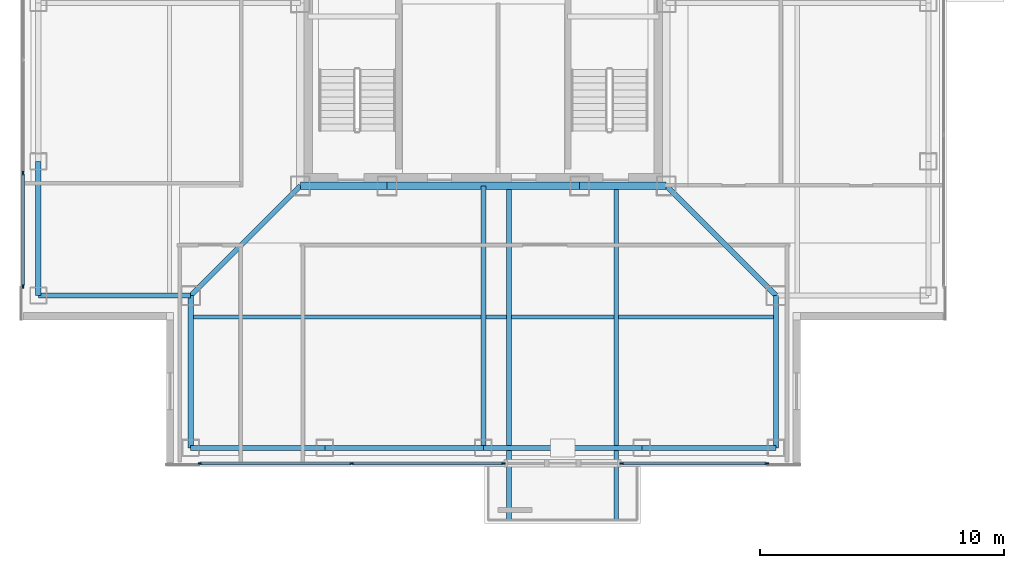
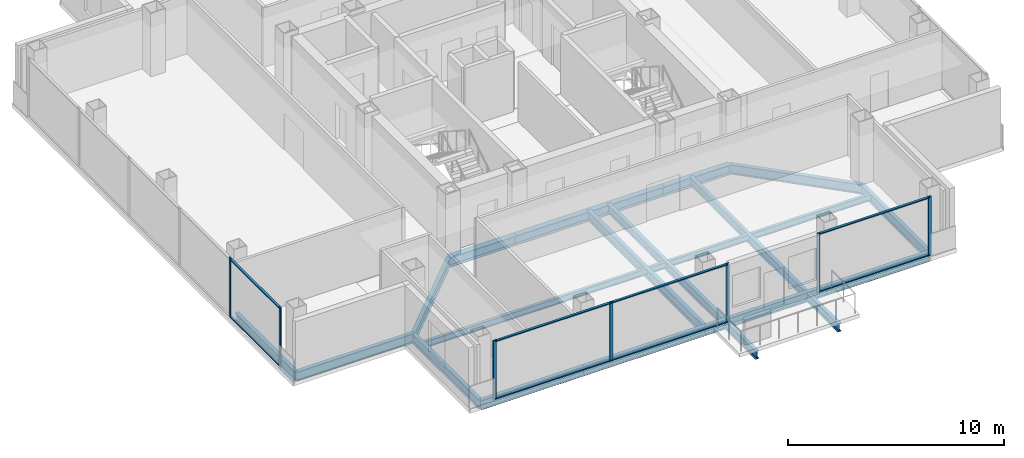
# One storey, part 2 of 15: 17 beams, 15 members, 3 elements without a shape of their own.
"""IFC4 building model written with IfcOpenShell, lengths in metres."""

from ifc_helpers import new_model, si_unit, direction, frame, origin, origin_2d, place, context, subcontext, project, spatial, rectangle, i_section, extrude, material, layer, layer_set, material_profile, profile_set, type_object, element, aggregate, save


model = new_model("IFC4")

# Units and contexts
model_context = context("Model", 3, precision=1e-05, world=origin(), true_north=direction((0.0, 1.0)))
body_context = subcontext(model_context, "Body", "Model", "MODEL_VIEW")
ifc_project = project(units=[si_unit("LENGTHUNIT", "METRE"), si_unit("AREAUNIT", "SQUARE_METRE"), si_unit("VOLUMEUNIT", "CUBIC_METRE"), si_unit("PLANEANGLEUNIT", "RADIAN"), si_unit("MASSUNIT", "GRAM", prefix="KILO")], contexts=[model_context])

# Site, building, storey
site_placement = place(None, origin())
site = spatial("IfcSite", under=ifc_project, at=site_placement, CompositionType="ELEMENT")
building_placement = place(site_placement, origin())
building = spatial("IfcBuilding", under=site, at=building_placement, Name="Trevonay Congress Spire", CompositionType="ELEMENT")
storey_placement = place(building_placement, frame((0.0, 0.0, 243.199951171875)))
storey = spatial("IfcBuildingStorey", under=building, at=storey_placement, Name="L63", CompositionType="ELEMENT", Elevation=243.199951171875)

# Beams
ifc_material_1 = material(Name="Steel ASTM A572 Grade 50", Category="steel")
ifc_material_profile_1 = material_profile(ifc_material_1, i_section(OverallWidth=0.194091796875, OverallDepth=0.468994140625, WebThickness=0.011474609375, FlangeThickness=0.01953125, FilletRadius=0.013916015625, at=origin_2d()), Name="W460x106")
ifc_profile_set_1 = profile_set([ifc_material_profile_1], Name="Steel ASTM A572 Grade 50")
beam_type_1 = type_object("IfcBeamType", Name="BM-BAL-LOOKOUT", PredefinedType="BEAM", material=ifc_profile_set_1)
for number, where, z_axis, x_axis, name in (
    (1, (1.050048828125, -7.5, -0.474365234375), (0.0, -1.0, 0.0), (1.0, 0.0, 0.0), "L63 structural beam LKT-L63-S1"),
    (2, (5.449951171875, -7.5, -0.474365234375), (0.0, -1.0, 0.0), (1.0, 0.0, 0.0), "L63 structural beam LKT-L63-S2"),
):
    element("IfcBeam", number, at=place(storey_placement, frame(where, z_axis=z_axis, x_axis=x_axis)), inside=storey, type_object=beam_type_1, Name=name, PredefinedType="BEAM", context=body_context, shape_type="SweptSolid", body=[
        extrude(i_section(OverallWidth=0.194091796875, OverallDepth=0.468994140625, WebThickness=0.011474609375, FlangeThickness=0.01953125, FilletRadius=0.013916015625, at=origin_2d()), origin(), (0.0, 0.0, 1.0), 13.75),
    ])
ifc_material_profile_2 = material_profile(ifc_material_1, i_section(OverallWidth=0.2119140625, OverallDepth=0.5439453125, WebThickness=0.01318359375, FlangeThickness=0.021240234375, FilletRadius=0.014892578125, at=origin_2d()), Name="W530x123")
ifc_profile_set_2 = profile_set([ifc_material_profile_2], Name="Steel ASTM A572 Grade 50")
beam_type_2 = type_object("IfcBeamType", Name="BM-GIRD-W530X123", PredefinedType="BEAM", material=ifc_profile_set_2)
for number, where, z_axis, x_axis, name in (
    (3, (-7.5, -7.5, -0.511962890625), (-0.707106781187, -0.707106781187, 0.0), (0.707106781187, -0.707106781187, 0.0), "L63 structural beam BM-L63-CDSW"),
    (4, (7.5, -7.5, -0.511962890625), (0.707106781187, -0.707106781187, 0.0), (0.707106781187, 0.707106781187, 0.0), "L63 structural beam BM-L63-CDSE"),
):
    element("IfcBeam", number, at=place(storey_placement, frame(where, z_axis=z_axis, x_axis=x_axis)), inside=storey, type_object=beam_type_2, Name=name, PredefinedType="BEAM", context=body_context, shape_type="SweptSolid", body=[
        extrude(i_section(OverallWidth=0.2119140625, OverallDepth=0.5439453125, WebThickness=0.01318359375, FlangeThickness=0.021240234375, FilletRadius=0.014892578125, at=origin_2d()), origin(), (0.0, 0.0, 1.0), 6.364013671875),
    ])
beam_1_placement = place(storey_placement, frame((0.0, -7.5, -0.511962890625), z_axis=(0.0, -1.0, 0.0), x_axis=(1.0, 0.0, 0.0)))
element("IfcBeam", 5, at=beam_1_placement, inside=storey, type_object=beam_type_2, Name="L63 structural beam BM-L63-GC-S", PredefinedType="BEAM", context=body_context, shape_type="SweptSolid", body=[
    extrude(i_section(OverallWidth=0.2119140625, OverallDepth=0.5439453125, WebThickness=0.01318359375, FlangeThickness=0.021240234375, FilletRadius=0.014892578125, at=origin_2d()), origin(), (0.0, 0.0, 1.0), 10.75),
])
ifc_material_profile_3 = material_profile(ifc_material_1, i_section(OverallWidth=0.31201171875, OverallDepth=0.54296875, WebThickness=0.0126953125, FlangeThickness=0.020263671875, FilletRadius=0.014892578125, at=origin_2d()), Name="W530x150")
ifc_profile_set_3 = profile_set([ifc_material_profile_3], Name="Steel ASTM A572 Grade 50")
beam_type_3 = type_object("IfcBeamType", Name="BM-GIRD-W530X150", PredefinedType="BEAM", material=ifc_profile_set_3)
beam_2_placement = place(storey_placement, frame((-7.5, -7.5, -0.511474609375), z_axis=(1.0, 0.0, 0.0), x_axis=(0.0, 1.0, 0.0)))
element("IfcBeam", 6, at=beam_2_placement, inside=storey, type_object=beam_type_3, Name="L63 structural beam BM-L63-CR-S1", PredefinedType="BEAM", context=body_context, shape_type="SweptSolid", body=[
    extrude(i_section(OverallWidth=0.31201171875, OverallDepth=0.54296875, WebThickness=0.0126953125, FlangeThickness=0.020263671875, FilletRadius=0.014892578125, at=origin_2d()), origin(), (0.0, 0.0, 1.0), 3.550048828125),
])
beam_3_placement = place(storey_placement, frame((-3.949951171875, -7.5, -0.511474609375), z_axis=(1.0, 0.0, 0.0), x_axis=(0.0, 1.0, 0.0)))
element("IfcBeam", 7, at=beam_3_placement, inside=storey, type_object=beam_type_3, Name="L63 structural beam BM-L63-CR-S2", PredefinedType="BEAM", context=body_context, shape_type="SweptSolid", body=[
    extrude(i_section(OverallWidth=0.31201171875, OverallDepth=0.54296875, WebThickness=0.0126953125, FlangeThickness=0.020263671875, FilletRadius=0.014892578125, at=origin_2d()), origin(), (0.0, 0.0, 1.0), 7.89990234375),
])
beam_4_placement = place(storey_placement, frame((3.949951171875, -7.5, -0.511474609375), z_axis=(1.0, 0.0, 0.0), x_axis=(0.0, 1.0, 0.0)))
element("IfcBeam", 8, at=beam_4_placement, inside=storey, type_object=beam_type_3, Name="L63 structural beam BM-L63-CR-S3", PredefinedType="BEAM", context=body_context, shape_type="SweptSolid", body=[
    extrude(i_section(OverallWidth=0.31201171875, OverallDepth=0.54296875, WebThickness=0.0126953125, FlangeThickness=0.020263671875, FilletRadius=0.014892578125, at=origin_2d()), origin(), (0.0, 0.0, 1.0), 3.550048828125),
])
ifc_material_profile_4 = material_profile(ifc_material_1, i_section(OverallWidth=0.208984375, OverallDepth=0.532958984375, WebThickness=0.01025390625, FlangeThickness=0.015625, FilletRadius=0.014892578125, at=origin_2d()), Name="W530x92")
ifc_profile_set_4 = profile_set([ifc_material_profile_4], Name="Steel ASTM A572 Grade 50")
beam_type_4 = type_object("IfcBeamType", Name="BM-RING-W530X92", PredefinedType="BEAM", material=ifc_profile_set_4)
for number, where, z_axis, x_axis, name in (
    (9, (-12.0, -18.25, -0.50634765625), (1.0, 0.0, 0.0), (0.0, 1.0, 0.0), "L63 structural beam BM-L63-PS1"),
    (10, (-18.25, -12.0, -0.50634765625), (0.0, 1.0, 0.0), (-1.0, 0.0, 0.0), "L63 structural beam BM-L63-PW1"),
):
    element("IfcBeam", number, at=place(storey_placement, frame(where, z_axis=z_axis, x_axis=x_axis)), inside=storey, type_object=beam_type_4, Name=name, PredefinedType="BEAM", context=body_context, shape_type="SweptSolid", body=[
        extrude(i_section(OverallWidth=0.208984375, OverallDepth=0.532958984375, WebThickness=0.01025390625, FlangeThickness=0.015625, FilletRadius=0.014892578125, at=origin_2d()), origin(), (0.0, 0.0, 1.0), 5.5),
    ])
for number, where, z_axis, x_axis, name in (
    (11, (-6.5, -18.25, -0.50634765625), (1.0, 0.0, 0.0), (0.0, 1.0, 0.0), "L63 structural beam BM-L63-PS2"),
    (12, (0.0, -18.25, -0.50634765625), (1.0, 0.0, 0.0), (0.0, 1.0, 0.0), "L63 structural beam BM-L63-PS3"),
):
    element("IfcBeam", number, at=place(storey_placement, frame(where, z_axis=z_axis, x_axis=x_axis)), inside=storey, type_object=beam_type_4, Name=name, PredefinedType="BEAM", context=body_context, shape_type="SweptSolid", body=[
        extrude(i_section(OverallWidth=0.208984375, OverallDepth=0.532958984375, WebThickness=0.01025390625, FlangeThickness=0.015625, FilletRadius=0.014892578125, at=origin_2d()), origin(), (0.0, 0.0, 1.0), 6.5),
    ])
beam_5_placement = place(storey_placement, frame((6.5, -18.25, -0.50634765625), z_axis=(1.0, 0.0, 0.0), x_axis=(0.0, 1.0, 0.0)))
element("IfcBeam", 13, at=beam_5_placement, inside=storey, type_object=beam_type_4, Name="L63 structural beam BM-L63-PS4", PredefinedType="BEAM", context=body_context, shape_type="SweptSolid", body=[
    extrude(i_section(OverallWidth=0.208984375, OverallDepth=0.532958984375, WebThickness=0.01025390625, FlangeThickness=0.015625, FilletRadius=0.014892578125, at=origin_2d()), origin(), (0.0, 0.0, 1.0), 5.5),
])
for number, where, z_axis, x_axis, name in (
    (14, (-12.0, -18.25, -0.50634765625), (0.0, 1.0, 0.0), (-1.0, 0.0, 0.0), "L63 structural beam BM-L63-N1SW"),
    (15, (-18.25, -12.0, -0.50634765625), (1.0, 0.0, 0.0), (0.0, 1.0, 0.0), "L63 structural beam BM-L63-N2SW"),
    (16, (12.0, -18.25, -0.50634765625), (0.0, 1.0, 0.0), (-1.0, 0.0, 0.0), "L63 structural beam BM-L63-N1SE"),
):
    element("IfcBeam", number, at=place(storey_placement, frame(where, z_axis=z_axis, x_axis=x_axis)), inside=storey, type_object=beam_type_4, Name=name, PredefinedType="BEAM", context=body_context, shape_type="SweptSolid", body=[
        extrude(i_section(OverallWidth=0.208984375, OverallDepth=0.532958984375, WebThickness=0.01025390625, FlangeThickness=0.015625, FilletRadius=0.014892578125, at=origin_2d()), origin(), (0.0, 0.0, 1.0), 6.25),
    ])

# Curtain wall, members
ifc_material_2 = material(Name="Pale Anodised Aluminium EN AW-6063-T6", Category="aluminium")
ifc_layer = layer(ifc_material_2, 0.1650390625, Name="Pale Anodised Aluminium EN AW-6063-T6")
ifc_layer_set = layer_set([ifc_layer], Name="Pale Anodised Aluminium EN AW-6063-T6")
curtain_wall_type = type_object("IfcCurtainWallType", Name="CW-SYS05-DIPLOM-PALE-METAL", PredefinedType="NOTDEFINED", material=ifc_layer_set)
curtain_wall_1_placement = place(storey_placement, origin())
curtain_wall_1 = element("IfcCurtainWall", 17, at=curtain_wall_1_placement, inside=storey, type_object=curtain_wall_type, Name="L63 SA unitised curtain wall", PredefinedType="NOTDEFINED")
ifc_material_profile_5 = material_profile(ifc_material_2, rectangle(XDim=0.06005859375, YDim=0.159912109375, at=origin_2d()), Name="CW-MULLION-160-ALUMINIUM")
ifc_profile_set_5 = profile_set([ifc_material_profile_5], Name="Pale Anodised Aluminium EN AW-6063-T6")
member_type_1 = type_object("IfcMemberType", Name="CW-MULLION-160-ALUMINIUM", PredefinedType="MULLION", material=ifc_profile_set_5)
member_1_placement = place(storey_placement, frame((-11.6201171875, -18.8798828125, 0.0), z_axis=(0.0, 0.0, 1.0), x_axis=(0.0, 1.0, 0.0)))
member_1 = element("IfcMember", 18, at=member_1_placement, type_object=member_type_1, Name="CW05 mullion 1", PredefinedType="MULLION", context=body_context, shape_type="SweptSolid", body=[
    extrude(rectangle(XDim=0.06005859375, YDim=0.159912109375, at=origin_2d()), origin(), (0.0, 0.0, 1.0), 3.360107421875),
])
member_2_placement = place(storey_placement, frame((-5.39990234375, -18.8798828125, 0.0), z_axis=(0.0, 0.0, 1.0), x_axis=(0.0, 1.0, 0.0)))
member_2 = element("IfcMember", 19, at=member_2_placement, type_object=member_type_1, Name="CW05 mullion 2", PredefinedType="MULLION", context=body_context, shape_type="SweptSolid", body=[
    extrude(rectangle(XDim=0.06005859375, YDim=0.159912109375, at=origin_2d()), origin(), (0.0, 0.0, 1.0), 3.360107421875),
])
member_3_placement = place(storey_placement, frame((0.820068359375, -18.8798828125, 0.0), z_axis=(0.0, 0.0, 1.0), x_axis=(0.0, 1.0, 0.0)))
member_3 = element("IfcMember", 20, at=member_3_placement, type_object=member_type_1, Name="CW05 mullion 3", PredefinedType="MULLION", context=body_context, shape_type="SweptSolid", body=[
    extrude(rectangle(XDim=0.06005859375, YDim=0.159912109375, at=origin_2d()), origin(), (0.0, 0.0, 1.0), 3.360107421875),
])

curtain_wall_2_placement = place(storey_placement, origin())
curtain_wall_2 = element("IfcCurtainWall", 21, at=curtain_wall_2_placement, inside=storey, type_object=curtain_wall_type, Name="L63 SB unitised curtain wall", PredefinedType="NOTDEFINED")
member_4_placement = place(storey_placement, frame((5.679931640625, -18.8798828125, 0.0), z_axis=(0.0, 0.0, 1.0), x_axis=(0.0, 1.0, 0.0)))
member_4 = element("IfcMember", 22, at=member_4_placement, type_object=member_type_1, Name="CW05 mullion 1", PredefinedType="MULLION", context=body_context, shape_type="SweptSolid", body=[
    extrude(rectangle(XDim=0.06005859375, YDim=0.159912109375, at=origin_2d()), origin(), (0.0, 0.0, 1.0), 3.360107421875),
])
member_5_placement = place(storey_placement, frame((11.6201171875, -18.8798828125, 0.0), z_axis=(0.0, 0.0, 1.0), x_axis=(0.0, 1.0, 0.0)))
member_5 = element("IfcMember", 23, at=member_5_placement, type_object=member_type_1, Name="CW05 mullion 2", PredefinedType="MULLION", context=body_context, shape_type="SweptSolid", body=[
    extrude(rectangle(XDim=0.06005859375, YDim=0.159912109375, at=origin_2d()), origin(), (0.0, 0.0, 1.0), 3.360107421875),
])

curtain_wall_3_placement = place(storey_placement, origin())
curtain_wall_3 = element("IfcCurtainWall", 24, at=curtain_wall_3_placement, inside=storey, type_object=curtain_wall_type, Name="L63 W unitised curtain wall", PredefinedType="NOTDEFINED")
member_6_placement = place(storey_placement, frame((-18.8798828125, -11.6201171875, 0.0), z_axis=(0.0, 0.0, 1.0), x_axis=(-1.0, 0.0, 0.0)))
member_6 = element("IfcMember", 25, at=member_6_placement, type_object=member_type_1, Name="CW05 mullion 1", PredefinedType="MULLION", context=body_context, shape_type="SweptSolid", body=[
    extrude(rectangle(XDim=0.06005859375, YDim=0.159912109375, at=origin_2d()), origin(), (0.0, 0.0, 1.0), 3.360107421875),
])
member_7_placement = place(storey_placement, frame((-18.8798828125, -6.989990234375, 0.0), z_axis=(0.0, 0.0, 1.0), x_axis=(-1.0, 0.0, 0.0)))
member_7 = element("IfcMember", 26, at=member_7_placement, type_object=member_type_1, Name="CW05 mullion 2", PredefinedType="MULLION", context=body_context, shape_type="SweptSolid", body=[
    extrude(rectangle(XDim=0.06005859375, YDim=0.159912109375, at=origin_2d()), origin(), (0.0, 0.0, 1.0), 3.360107421875),
])

# Member
ifc_material_profile_6 = material_profile(ifc_material_2, rectangle(XDim=0.1201171875, YDim=0.06005859375, at=origin_2d()), Name="CW-TRANSOM-120-ALUMINIUM")
ifc_profile_set_6 = profile_set([ifc_material_profile_6], Name="Pale Anodised Aluminium EN AW-6063-T6")
member_type_2 = type_object("IfcMemberType", Name="CW-TRANSOM-120-ALUMINIUM", PredefinedType="USERDEFINED", material=ifc_profile_set_6)
member_8_placement = place(storey_placement, frame((-11.590087890625, -18.8798828125, 0.06005859375), z_axis=(1.0, 0.0, 0.0), x_axis=(0.0, 1.0, 0.0)))
member_8 = element("IfcMember", 27, at=member_8_placement, type_object=member_type_2, Name="CW05 transom 1.1", ObjectType="TRANSOM", PredefinedType="USERDEFINED", context=body_context, shape_type="SweptSolid", body=[
    extrude(rectangle(XDim=0.1201171875, YDim=0.06005859375, at=origin_2d()), origin(), (0.0, 0.0, 1.0), 6.16015625),
])

member_9_placement = place(storey_placement, frame((-11.590087890625, -18.8798828125, 3.300048828125), z_axis=(1.0, 0.0, 0.0), x_axis=(0.0, 1.0, 0.0)))
member_9 = element("IfcMember", 28, at=member_9_placement, type_object=member_type_2, Name="CW05 transom 1.2", ObjectType="TRANSOM", PredefinedType="USERDEFINED", context=body_context, shape_type="SweptSolid", body=[
    extrude(rectangle(XDim=0.1201171875, YDim=0.06005859375, at=origin_2d()), origin(), (0.0, 0.0, 1.0), 6.16015625),
])

member_10_placement = place(storey_placement, frame((-5.3701171875, -18.8798828125, 0.06005859375), z_axis=(1.0, 0.0, 0.0), x_axis=(0.0, 1.0, 0.0)))
member_10 = element("IfcMember", 29, at=member_10_placement, type_object=member_type_2, Name="CW05 transom 2.1", ObjectType="TRANSOM", PredefinedType="USERDEFINED", context=body_context, shape_type="SweptSolid", body=[
    extrude(rectangle(XDim=0.1201171875, YDim=0.06005859375, at=origin_2d()), origin(), (0.0, 0.0, 1.0), 6.16015625),
])

member_11_placement = place(storey_placement, frame((-5.3701171875, -18.8798828125, 3.300048828125), z_axis=(1.0, 0.0, 0.0), x_axis=(0.0, 1.0, 0.0)))
member_11 = element("IfcMember", 30, at=member_11_placement, type_object=member_type_2, Name="CW05 transom 2.2", ObjectType="TRANSOM", PredefinedType="USERDEFINED", context=body_context, shape_type="SweptSolid", body=[
    extrude(rectangle(XDim=0.1201171875, YDim=0.06005859375, at=origin_2d()), origin(), (0.0, 0.0, 1.0), 6.16015625),
])

aggregate(curtain_wall_1, [member_1, member_2, member_3, member_8, member_9, member_10, member_11])

member_12_placement = place(storey_placement, frame((5.7099609375, -18.8798828125, 0.06005859375), z_axis=(1.0, 0.0, 0.0), x_axis=(0.0, 1.0, 0.0)))
member_12 = element("IfcMember", 31, at=member_12_placement, type_object=member_type_2, Name="CW05 transom 1.1", ObjectType="TRANSOM", PredefinedType="USERDEFINED", context=body_context, shape_type="SweptSolid", body=[
    extrude(rectangle(XDim=0.1201171875, YDim=0.06005859375, at=origin_2d()), origin(), (0.0, 0.0, 1.0), 5.880126953125),
])

member_13_placement = place(storey_placement, frame((5.7099609375, -18.8798828125, 3.300048828125), z_axis=(1.0, 0.0, 0.0), x_axis=(0.0, 1.0, 0.0)))
member_13 = element("IfcMember", 32, at=member_13_placement, type_object=member_type_2, Name="CW05 transom 1.2", ObjectType="TRANSOM", PredefinedType="USERDEFINED", context=body_context, shape_type="SweptSolid", body=[
    extrude(rectangle(XDim=0.1201171875, YDim=0.06005859375, at=origin_2d()), origin(), (0.0, 0.0, 1.0), 5.880126953125),
])

aggregate(curtain_wall_2, [member_4, member_5, member_12, member_13])

member_14_placement = place(storey_placement, frame((-18.8798828125, -11.590087890625, 0.06005859375), z_axis=(0.0, 1.0, 0.0), x_axis=(-1.0, 0.0, 0.0)))
member_14 = element("IfcMember", 33, at=member_14_placement, type_object=member_type_2, Name="CW05 transom 1.1", ObjectType="TRANSOM", PredefinedType="USERDEFINED", context=body_context, shape_type="SweptSolid", body=[
    extrude(rectangle(XDim=0.1201171875, YDim=0.06005859375, at=origin_2d()), origin(), (0.0, 0.0, 1.0), 4.570068359375),
])

member_15_placement = place(storey_placement, frame((-18.8798828125, -11.590087890625, 3.300048828125), z_axis=(0.0, 1.0, 0.0), x_axis=(-1.0, 0.0, 0.0)))
member_15 = element("IfcMember", 34, at=member_15_placement, type_object=member_type_2, Name="CW05 transom 1.2", ObjectType="TRANSOM", PredefinedType="USERDEFINED", context=body_context, shape_type="SweptSolid", body=[
    extrude(rectangle(XDim=0.1201171875, YDim=0.06005859375, at=origin_2d()), origin(), (0.0, 0.0, 1.0), 4.570068359375),
])

aggregate(curtain_wall_3, [member_6, member_7, member_14, member_15])

# Beam
ifc_material_profile_7 = material_profile(ifc_material_1, i_section(OverallWidth=0.172119140625, OverallDepth=0.35791015625, WebThickness=0.0078125, FlangeThickness=0.01318359375, FilletRadius=0.011962890625, at=origin_2d()), Name="W360x57.8")
ifc_profile_set_7 = profile_set([ifc_material_profile_7], Name="Steel ASTM A572 Grade 50")
beam_type_5 = type_object("IfcBeamType", Name="JS-COMP-W360X57", PredefinedType="JOIST", material=ifc_profile_set_7)
beam_6_placement = place(storey_placement, frame((-12.0, -12.875, -0.4189453125), z_axis=(1.0, 0.0, 0.0), x_axis=(0.0, 1.0, 0.0)))
element("IfcBeam", 35, at=beam_6_placement, inside=storey, type_object=beam_type_5, Name="L63 structural beam JS-L63-RING-S", PredefinedType="JOIST", context=body_context, shape_type="SweptSolid", body=[
    extrude(i_section(OverallWidth=0.172119140625, OverallDepth=0.35791015625, WebThickness=0.0078125, FlangeThickness=0.01318359375, FilletRadius=0.011962890625, at=origin_2d()), origin(), (0.0, 0.0, 1.0), 24.0),
])

save(model, "model.ifc")
